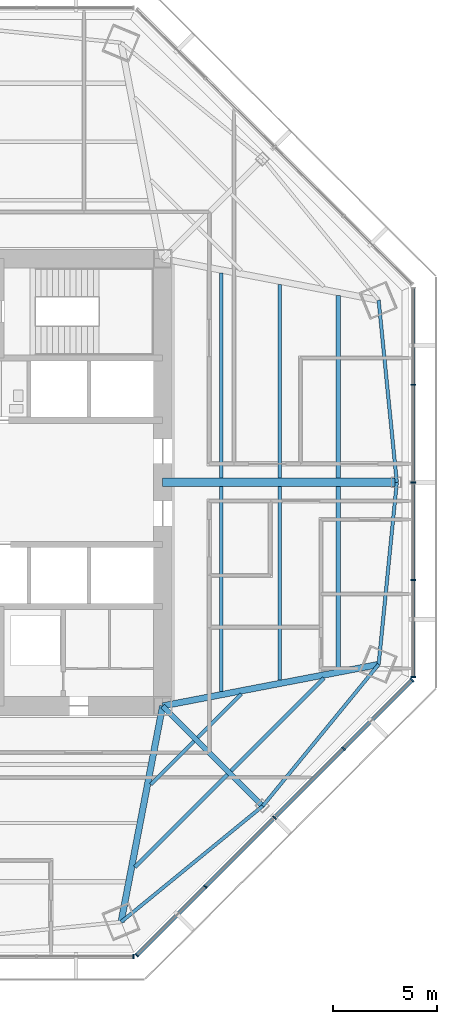
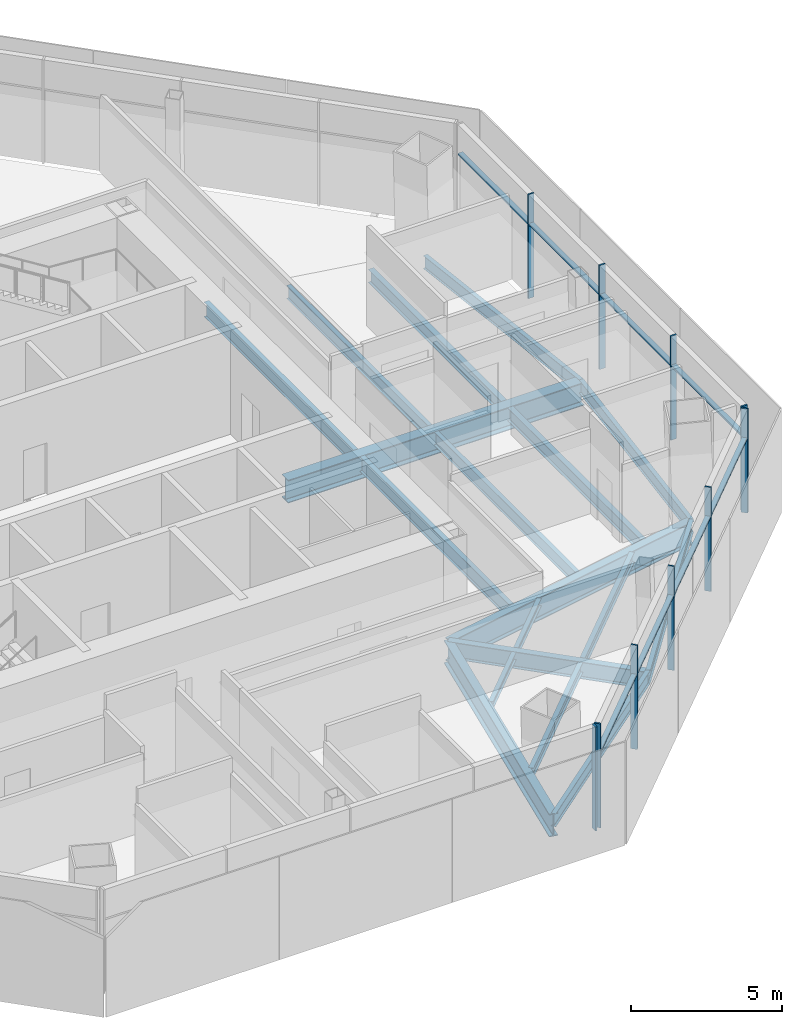
# One storey, part 4 of 14: 18 beams, 18 members, 3 elements without a shape of their own.
"""IFC4 building model written with IfcOpenShell, lengths in metres."""

from ifc_helpers import new_model, si_unit, direction, frame, origin, origin_2d, place, context, subcontext, project, spatial, rectangle, i_section, extrude, source, transform, mapped, material, material_profile, profile_set, type_object, type_shapes, element, aggregate, save


model = new_model("IFC4")

# Units and contexts
model_context = context("Model", 3, precision=1e-05, world=origin(), true_north=direction((0.0, 1.0)))
body_context = subcontext(model_context, "Body", "Model", "MODEL_VIEW")
ifc_project = project(units=[si_unit("LENGTHUNIT", "METRE"), si_unit("AREAUNIT", "SQUARE_METRE"), si_unit("VOLUMEUNIT", "CUBIC_METRE"), si_unit("PLANEANGLEUNIT", "RADIAN"), si_unit("MASSUNIT", "GRAM", prefix="KILO")], contexts=[model_context])

# Site, building, storey
site_placement = place(None, origin())
site = spatial("IfcSite", under=ifc_project, at=site_placement, CompositionType="ELEMENT")
building_placement = place(site_placement, origin())
building = spatial("IfcBuilding", under=site, at=building_placement, Name="Mashrafa Tower", CompositionType="ELEMENT")
storey_placement = place(building_placement, frame((0.0, 0.0, 180.60009765625)))
storey = spatial("IfcBuildingStorey", under=building, at=storey_placement, Name="L41", CompositionType="ELEMENT", Elevation=180.60009765625)

# Beams
ifc_material_1 = material(Name="Steel ASTM A992", Category="steel")
ifc_material_profile_1 = material_profile(ifc_material_1, i_section(OverallWidth=0.164794921875, OverallDepth=0.309814453125, WebThickness=0.005859375, FlangeThickness=0.009765625, FilletRadius=0.007568359375, at=origin_2d()), Name="W12X26")
ifc_profile_set_1 = profile_set([ifc_material_profile_1], Name="Steel ASTM A992")
beam_type_1 = type_object("IfcBeamType", Name="Beam W12X26", PredefinedType="BEAM", material=ifc_profile_set_1)
for number, where, z_axis, x_axis, name in (
    (1, (12.32177734375, -12.501220703125, -0.320068359375), (-0.707106781187, -0.707106781187, 0.0), (0.707106781187, -0.707106781187, 0.0), "Floor beam L41 029"),
    (2, (14.59619140625, -10.226806640625, -0.320068359375), (-0.707106781187, -0.707106781187, 0.0), (0.707106781187, -0.707106781187, 0.0), "Floor beam L41 035"),
):
    element("IfcBeam", number, at=place(storey_placement, frame(where, z_axis=z_axis, x_axis=x_axis)), inside=storey, type_object=beam_type_1, Name=name, PredefinedType="BEAM", context=body_context, shape_type="SweptSolid", body=[
        extrude(i_section(OverallWidth=0.164794921875, OverallDepth=0.309814453125, WebThickness=0.005859375, FlangeThickness=0.009765625, FilletRadius=0.007568359375, at=origin_2d()), origin(), (0.0, 0.0, 1.0), 2.962646484375),
    ])
ifc_material_2 = material(Name="Steel ASTM A992", Category="steel")
ifc_material_profile_2 = material_profile(ifc_material_2, i_section(OverallWidth=0.177734375, OverallDepth=0.406494140625, WebThickness=0.0078125, FlangeThickness=0.012939453125, FilletRadius=0.01025390625, at=origin_2d()), Name="W16X40")
ifc_profile_set_2 = profile_set([ifc_material_profile_2], Name="Steel ASTM A992")
beam_type_2 = type_object("IfcBeamType", Name="Beam W16X40", PredefinedType="BEAM", material=ifc_profile_set_2)
for number, where, z_axis, x_axis, name in (
    (3, (13.93310546875, -14.11279296875, -0.368408203125), (-0.707106781187, -0.707106781187, 0.0), (0.707106781187, -0.707106781187, 0.0), "Floor beam L41 033"),
    (4, (18.586181640625, -9.459716796875, -0.368408203125), (-0.707106781187, -0.707106781187, 0.0), (0.707106781187, -0.707106781187, 0.0), "Floor beam L41 038"),
):
    element("IfcBeam", number, at=place(storey_placement, frame(where, z_axis=z_axis, x_axis=x_axis)), inside=storey, type_object=beam_type_2, Name=name, PredefinedType="BEAM", context=body_context, shape_type="SweptSolid", body=[
        extrude(i_section(OverallWidth=0.177734375, OverallDepth=0.406494140625, WebThickness=0.0078125, FlangeThickness=0.012939453125, FilletRadius=0.01025390625, at=origin_2d()), origin(), (0.0, 0.0, 1.0), 6.326416015625),
    ])
ifc_material_3 = material(Name="Steel ASTM A992", Category="steel")
ifc_material_profile_3 = material_profile(ifc_material_3, i_section(OverallWidth=0.1650390625, OverallDepth=0.52587890625, WebThickness=0.0087890625, FlangeThickness=0.011474609375, FilletRadius=0.0126953125, at=origin_2d()), Name="W21X44")
ifc_profile_set_3 = profile_set([ifc_material_profile_3], Name="Steel ASTM A992")
beam_type_3 = type_object("IfcBeamType", Name="Beam W21X44", PredefinedType="BEAM", material=ifc_profile_set_3)
for number, where, z_axis, x_axis, name in (
    (5, (16.455078125, -0.20947265625, -0.427978515625), (0.0, -1.0, 0.0), (1.0, 0.0, 0.0), "Floor beam L41 036"),
    (6, (16.455078125, 9.556396484375, -0.427978515625), (0.0, -1.0, 0.0), (1.0, 0.0, 0.0), "Floor beam L41 037"),
):
    element("IfcBeam", number, at=place(storey_placement, frame(where, z_axis=z_axis, x_axis=x_axis)), inside=storey, type_object=beam_type_3, Name=name, PredefinedType="BEAM", context=body_context, shape_type="SweptSolid", body=[
        extrude(i_section(OverallWidth=0.1650390625, OverallDepth=0.52587890625, WebThickness=0.0087890625, FlangeThickness=0.011474609375, FilletRadius=0.0126953125, at=origin_2d()), origin(), (0.0, 0.0, 1.0), 9.346923828125),
    ])
for number, where, z_axis, x_axis, name in (
    (7, (8.794677734375, -21.232421875, -0.427978515625), (0.773864988904, 0.63335059718, 0.0), (-0.63335059718, 0.773864988904, 0.0), "Spandrel beam L41 066"),
    (8, (15.634521484375, -15.634521484375, -0.427978515625), (0.63335059718, 0.773864988904, 0.0), (-0.773864988904, 0.63335059718, 0.0), "Spandrel beam L41 068"),
):
    element("IfcBeam", number, at=place(storey_placement, frame(where, z_axis=z_axis, x_axis=x_axis)), inside=storey, type_object=beam_type_3, Name=name, PredefinedType="BEAM", context=body_context, shape_type="SweptSolid", body=[
        extrude(i_section(OverallWidth=0.1650390625, OverallDepth=0.52587890625, WebThickness=0.0087890625, FlangeThickness=0.011474609375, FilletRadius=0.0126953125, at=origin_2d()), origin(), (0.0, 0.0, 1.0), 8.838623046875),
    ])
for number, where, z_axis, x_axis, name in (
    (9, (21.232421875, -8.794677734375, -0.427978515625), (0.099358767287, 0.99505167472, 0.0), (-0.99505167472, 0.099358767287, 0.0), "Spandrel beam L41 070"),
    (10, (22.110595703125, 0.0, -0.427978515625), (-0.099358767287, 0.99505167472, 0.0), (-0.99505167472, -0.099358767287, 0.0), "Spandrel beam L41 072"),
):
    element("IfcBeam", number, at=place(storey_placement, frame(where, z_axis=z_axis, x_axis=x_axis)), inside=storey, type_object=beam_type_3, Name=name, PredefinedType="BEAM", context=body_context, shape_type="SweptSolid", body=[
        extrude(i_section(OverallWidth=0.1650390625, OverallDepth=0.52587890625, WebThickness=0.0087890625, FlangeThickness=0.011474609375, FilletRadius=0.0126953125, at=origin_2d()), origin(), (0.0, 0.0, 1.0), 8.83837890625),
    ])
ifc_material_4 = material(Name="Steel ASTM A992", Category="steel")
ifc_material_profile_4 = material_profile(ifc_material_4, i_section(OverallWidth=0.209228515625, OverallDepth=0.533447265625, WebThickness=0.01025390625, FlangeThickness=0.015625, FilletRadius=0.012939453125, at=origin_2d()), Name="W21X62")
ifc_profile_set_4 = profile_set([ifc_material_profile_4], Name="Steel ASTM A992")
beam_type_4 = type_object("IfcBeamType", Name="Beam W21X62", PredefinedType="BEAM", material=ifc_profile_set_4)
for number, where, z_axis, x_axis, name in (
    (11, (19.282958984375, -0.20947265625, -0.431884765625), (0.0, -1.0, 0.0), (1.0, 0.0, 0.0), "Floor beam L41 039"),
    (12, (19.282958984375, 9.012939453125, -0.431884765625), (0.0, -1.0, 0.0), (1.0, 0.0, 0.0), "Floor beam L41 040"),
):
    element("IfcBeam", number, at=place(storey_placement, frame(where, z_axis=z_axis, x_axis=x_axis)), inside=storey, type_object=beam_type_4, Name=name, PredefinedType="BEAM", context=body_context, shape_type="SweptSolid", body=[
        extrude(i_section(OverallWidth=0.209228515625, OverallDepth=0.533447265625, WebThickness=0.01025390625, FlangeThickness=0.015625, FilletRadius=0.012939453125, at=origin_2d()), origin(), (0.0, 0.0, 1.0), 8.803466796875),
    ])
ifc_material_5 = material(Name="Steel ASTM A992", Category="steel")
ifc_material_profile_5 = material_profile(ifc_material_5, i_section(OverallWidth=0.177978515625, OverallDepth=0.599365234375, WebThickness=0.010009765625, FlangeThickness=0.012939453125, FilletRadius=0.012939453125, at=origin_2d()), Name="W24X55")
ifc_profile_set_5 = profile_set([ifc_material_profile_5], Name="Steel ASTM A992")
beam_type_5 = type_object("IfcBeamType", Name="Beam W24X55", PredefinedType="BEAM", material=ifc_profile_set_5)
for number, where, z_axis, x_axis, name in (
    (13, (13.627685546875, -0.20947265625, -0.46484375), (0.0, -1.0, 0.0), (1.0, 0.0, 0.0), "Floor beam L41 031"),
    (14, (13.627685546875, 10.10009765625, -0.46484375), (0.0, -1.0, 0.0), (1.0, 0.0, 0.0), "Floor beam L41 032"),
):
    element("IfcBeam", number, at=place(storey_placement, frame(where, z_axis=z_axis, x_axis=x_axis)), inside=storey, type_object=beam_type_5, Name=name, PredefinedType="BEAM", context=body_context, shape_type="SweptSolid", body=[
        extrude(i_section(OverallWidth=0.177978515625, OverallDepth=0.599365234375, WebThickness=0.010009765625, FlangeThickness=0.012939453125, FilletRadius=0.012939453125, at=origin_2d()), origin(), (0.0, 0.0, 1.0), 9.890625),
    ])
ifc_material_6 = material(Name="Steel ASTM A992", Category="steel")
ifc_material_profile_6 = material_profile(ifc_material_6, i_section(OverallWidth=0.25390625, OverallDepth=0.683349609375, WebThickness=0.012451171875, FlangeThickness=0.01904296875, FilletRadius=0.01513671875, at=origin_2d()), Name="W27X94")
ifc_profile_set_6 = profile_set([ifc_material_profile_6], Name="Steel ASTM A992")
beam_type_6 = type_object("IfcBeamType", Name="Beam W27X94", PredefinedType="BEAM", material=ifc_profile_set_6)
beam_1_placement = place(storey_placement, frame((10.800048828125, -10.800048828125, -0.5068359375), z_axis=(0.707106781187, -0.707106781187, 0.0), x_axis=(0.707106781187, 0.707106781187, 0.0)))
element("IfcBeam", 15, at=beam_1_placement, inside=storey, type_object=beam_type_6, Name="Radial girder L41 051", PredefinedType="BEAM", context=body_context, shape_type="SweptSolid", body=[
    extrude(i_section(OverallWidth=0.25390625, OverallDepth=0.683349609375, WebThickness=0.012451171875, FlangeThickness=0.01904296875, FilletRadius=0.01513671875, at=origin_2d()), origin(), (0.0, 0.0, 1.0), 6.8369140625),
])
ifc_material_7 = material(Name="Steel ASTM A992", Category="steel")
ifc_material_profile_7 = material_profile(ifc_material_7, i_section(OverallWidth=0.307373046875, OverallDepth=0.927001953125, WebThickness=0.01953125, FlangeThickness=0.031982421875, FilletRadius=0.01904296875, at=origin_2d()), Name="W36X194")
ifc_profile_set_7 = profile_set([ifc_material_profile_7], Name="Steel ASTM A992")
beam_type_7 = type_object("IfcBeamType", Name="Beam W36X194", PredefinedType="BEAM", material=ifc_profile_set_7)
for number, where, z_axis, x_axis, name in (
    (16, (10.800048828125, -10.800048828125, -0.628662109375), (-0.188769826489, -0.982021360566, 0.0), (0.982021360566, -0.188769826489, 0.0), "Radial girder L41 050"),
    (17, (10.800048828125, -10.800048828125, -0.628662109375), (0.982021360566, 0.188769826489, 0.0), (-0.188769826489, 0.982021360566, 0.0), "Radial girder L41 052"),
):
    element("IfcBeam", number, at=place(storey_placement, frame(where, z_axis=z_axis, x_axis=x_axis)), inside=storey, type_object=beam_type_7, Name=name, PredefinedType="BEAM", context=body_context, shape_type="SweptSolid", body=[
        extrude(i_section(OverallWidth=0.307373046875, OverallDepth=0.927001953125, WebThickness=0.01953125, FlangeThickness=0.031982421875, FilletRadius=0.01904296875, at=origin_2d()), origin(), (0.0, 0.0, 1.0), 10.623291015625),
    ])
ifc_material_8 = material(Name="Steel ASTM A992", Category="steel")
ifc_material_profile_8 = material_profile(ifc_material_8, i_section(OverallWidth=0.419189453125, OverallDepth=0.927001953125, WebThickness=0.019287109375, FlangeThickness=0.031982421875, FilletRadius=0.020263671875, at=origin_2d()), Name="W36X231")
ifc_profile_set_8 = profile_set([ifc_material_profile_8], Name="Steel ASTM A992")
beam_type_8 = type_object("IfcBeamType", Name="Beam W36X231", PredefinedType="BEAM", material=ifc_profile_set_8)
beam_2_placement = place(storey_placement, frame((10.800048828125, 0.0, -0.628662109375), z_axis=(1.0, 0.0, 0.0), x_axis=(0.0, 1.0, 0.0)))
element("IfcBeam", 18, at=beam_2_placement, inside=storey, type_object=beam_type_8, Name="Radial girder L41 053", PredefinedType="BEAM", context=body_context, shape_type="SweptSolid", body=[
    extrude(i_section(OverallWidth=0.419189453125, OverallDepth=0.927001953125, WebThickness=0.019287109375, FlangeThickness=0.031982421875, FilletRadius=0.020263671875, at=origin_2d()), origin(), (0.0, 0.0, 1.0), 11.310546875),
])

# Curtain wall, members
ifc_material_9 = material(Name="Unitised aluminium curtain wall", Category="aluminium")
curtain_wall_type = type_object("IfcCurtainWallType", Name="Office curtain wall, zone 2 CW-B 225 deep", PredefinedType="NOTDEFINED", material=ifc_material_9)
curtain_wall_1_placement = place(storey_placement, origin())
curtain_wall_1 = element("IfcCurtainWall", 19, at=curtain_wall_1_placement, inside=storey, type_object=curtain_wall_type, Name="Office curtain wall, zone 2 L41 east", PredefinedType="NOTDEFINED")
ifc_material_10 = material(Name="Extruded aluminium mullion", Category="aluminium")
ifc_material_profile_9 = material_profile(ifc_material_10, rectangle(XDim=0.22509765625, YDim=0.06494140625, at=origin_2d()), Name="Mullion 65x225")
ifc_profile_set_9 = profile_set([ifc_material_profile_9], Name="Extruded aluminium mullion")
member_type_1 = type_object("IfcMemberType", Name="Mullion CW-B 65 x 225", PredefinedType="MULLION", material=ifc_profile_set_9)
shared_shape_1 = source(origin(), body_context, "Body", "SweptSolid", [
    extrude(rectangle(XDim=0.22509765625, YDim=0.06494140625, at=origin_2d()), origin(), (0.0, 0.0, 1.0), 4.199951171875),
])
type_shapes(member_type_1, [shared_shape_1])
member_1_placement = place(storey_placement, frame((22.90576171875, -9.398681640625, 0.0), z_axis=(0.0, 0.0, 1.0), x_axis=(-1.0, 0.0, 0.0)))
member_1 = element("IfcMember", 20, at=member_1_placement, type_object=member_type_1, Name="CW-B mullion 1", PredefinedType="MULLION", context=body_context, shape_type="MappedRepresentation", body=[
    mapped(shared_shape_1, transform((0.0, 0.0, 0.0))),
])
member_2_placement = place(storey_placement, frame((22.90576171875, -4.715576171875, 0.0), z_axis=(0.0, 0.0, 1.0), x_axis=(-1.0, 0.0, 0.0)))
member_2 = element("IfcMember", 21, at=member_2_placement, type_object=member_type_1, Name="CW-B mullion 2", PredefinedType="MULLION", context=body_context, shape_type="MappedRepresentation", body=[
    mapped(shared_shape_1, transform((0.0, 0.0, 0.0))),
])
member_3_placement = place(storey_placement, frame((22.90576171875, 0.0, 0.0), z_axis=(0.0, 0.0, 1.0), x_axis=(-1.0, 0.0, 0.0)))
member_3 = element("IfcMember", 22, at=member_3_placement, type_object=member_type_1, Name="CW-B mullion 3", PredefinedType="MULLION", context=body_context, shape_type="MappedRepresentation", body=[
    mapped(shared_shape_1, transform((0.0, 0.0, 0.0))),
])
member_4_placement = place(storey_placement, frame((22.90576171875, 4.715576171875, 0.0), z_axis=(0.0, 0.0, 1.0), x_axis=(-1.0, 0.0, 0.0)))
member_4 = element("IfcMember", 23, at=member_4_placement, type_object=member_type_1, Name="CW-B mullion 4", PredefinedType="MULLION", context=body_context, shape_type="MappedRepresentation", body=[
    mapped(shared_shape_1, transform((0.0, 0.0, 0.0))),
])

# Curtain wall, member
curtain_wall_2_placement = place(storey_placement, origin())
curtain_wall_2 = element("IfcCurtainWall", 24, at=curtain_wall_2_placement, inside=storey, type_object=curtain_wall_type, Name="Office curtain wall, zone 2 L41 south", PredefinedType="NOTDEFINED")
member_5_placement = place(storey_placement, frame((9.398681640625, -22.90576171875, 0.0), z_axis=(0.0, 0.0, 1.0), x_axis=(0.0, 1.0, 0.0)))
member_5 = element("IfcMember", 25, at=member_5_placement, type_object=member_type_1, Name="CW-B mullion 5", PredefinedType="MULLION", context=body_context, shape_type="MappedRepresentation", body=[
    mapped(shared_shape_1, transform((0.0, 0.0, 0.0))),
])
aggregate(curtain_wall_2, [member_5])

# Curtain wall, members
curtain_wall_3_placement = place(storey_placement, origin())
curtain_wall_3 = element("IfcCurtainWall", 26, at=curtain_wall_3_placement, inside=storey, type_object=curtain_wall_type, Name="Office curtain wall, zone 2 L41 south-east", PredefinedType="NOTDEFINED")
member_6_placement = place(storey_placement, frame((9.55078125, -22.8427734375, 0.0), z_axis=(0.0, 0.0, 1.0), x_axis=(-0.707106781187, 0.707106781187, 0.0)))
member_6 = element("IfcMember", 27, at=member_6_placement, type_object=member_type_1, Name="CW-B mullion 1", PredefinedType="MULLION", context=body_context, shape_type="MappedRepresentation", body=[
    mapped(shared_shape_1, transform((0.0, 0.0, 0.0))),
])
member_7_placement = place(storey_placement, frame((12.8623046875, -19.53125, 0.0), z_axis=(0.0, 0.0, 1.0), x_axis=(-0.707106781187, 0.707106781187, 0.0)))
member_7 = element("IfcMember", 28, at=member_7_placement, type_object=member_type_1, Name="CW-B mullion 2", PredefinedType="MULLION", context=body_context, shape_type="MappedRepresentation", body=[
    mapped(shared_shape_1, transform((0.0, 0.0, 0.0))),
])
member_8_placement = place(storey_placement, frame((16.19677734375, -16.19677734375, 0.0), z_axis=(0.0, 0.0, 1.0), x_axis=(-0.707106781187, 0.707106781187, 0.0)))
member_8 = element("IfcMember", 29, at=member_8_placement, type_object=member_type_1, Name="CW-B mullion 3", PredefinedType="MULLION", context=body_context, shape_type="MappedRepresentation", body=[
    mapped(shared_shape_1, transform((0.0, 0.0, 0.0))),
])
member_9_placement = place(storey_placement, frame((19.53125, -12.8623046875, 0.0), z_axis=(0.0, 0.0, 1.0), x_axis=(-0.707106781187, 0.707106781187, 0.0)))
member_9 = element("IfcMember", 30, at=member_9_placement, type_object=member_type_1, Name="CW-B mullion 4", PredefinedType="MULLION", context=body_context, shape_type="MappedRepresentation", body=[
    mapped(shared_shape_1, transform((0.0, 0.0, 0.0))),
])
member_10_placement = place(storey_placement, frame((22.8427734375, -9.55078125, 0.0), z_axis=(0.0, 0.0, 1.0), x_axis=(-0.707106781187, 0.707106781187, 0.0)))
member_10 = element("IfcMember", 31, at=member_10_placement, type_object=member_type_1, Name="CW-B mullion 5", PredefinedType="MULLION", context=body_context, shape_type="MappedRepresentation", body=[
    mapped(shared_shape_1, transform((0.0, 0.0, 0.0))),
])

# Member
ifc_material_11 = material(Name="Extruded aluminium transom", Category="aluminium")
ifc_material_profile_10 = material_profile(ifc_material_11, rectangle(XDim=0.179931640625, YDim=0.080078125, at=origin_2d()), Name="Transom 80x180")
ifc_profile_set_10 = profile_set([ifc_material_profile_10], Name="Extruded aluminium transom")
member_type_2 = type_object("IfcMemberType", Name="Transom CW-B 80 x 180", PredefinedType="MULLION", material=ifc_profile_set_10)
shared_shape_2 = source(origin(), body_context, "Body", "SweptSolid", [
    extrude(rectangle(XDim=0.179931640625, YDim=0.080078125, at=origin_2d()), origin(), (0.0, 0.0, 1.0), 4.6181640625),
])
member_11_placement = place(storey_placement, frame((22.90576171875, -9.3662109375, 3.0), z_axis=(0.0, 1.0, 0.0), x_axis=(-1.0, 0.0, 0.0)))
member_11 = element("IfcMember", 32, at=member_11_placement, type_object=member_type_2, Name="CW-B transom 1", PredefinedType="MULLION", context=body_context, shape_type="MappedRepresentation", body=[
    mapped(shared_shape_2, transform((0.0, 0.0, 0.0))),
])

member_12_placement = place(storey_placement, frame((22.90576171875, 4.748046875, 3.0), z_axis=(0.0, 1.0, 0.0), x_axis=(-1.0, 0.0, 0.0)))
member_12 = element("IfcMember", 33, at=member_12_placement, type_object=member_type_2, Name="CW-B transom 4", PredefinedType="MULLION", context=body_context, shape_type="MappedRepresentation", body=[
    mapped(shared_shape_2, transform((0.0, 0.0, 0.0))),
])

member_13_placement = place(storey_placement, frame((9.573974609375, -22.81982421875, 3.0), z_axis=(0.707080347782, 0.707133213603, 0.0), x_axis=(-0.707133213603, 0.707080347782, 0.0)))
member_13 = element("IfcMember", 34, at=member_13_placement, type_object=member_type_2, Name="CW-B transom 1", PredefinedType="MULLION", context=body_context, shape_type="MappedRepresentation", body=[
    mapped(shared_shape_2, transform((0.0, 0.0, 0.0))),
])

member_14_placement = place(storey_placement, frame((19.55419921875, -12.83935546875, 3.0), z_axis=(0.707133213603, 0.707080347782, 0.0), x_axis=(-0.707080347782, 0.707133213603, 0.0)))
member_14 = element("IfcMember", 35, at=member_14_placement, type_object=member_type_2, Name="CW-B transom 4", PredefinedType="MULLION", context=body_context, shape_type="MappedRepresentation", body=[
    mapped(shared_shape_2, transform((0.0, 0.0, 0.0))),
])

shared_shape_3 = source(origin(), body_context, "Body", "SweptSolid", [
    extrude(rectangle(XDim=0.179931640625, YDim=0.080078125, at=origin_2d()), origin(), (0.0, 0.0, 1.0), 4.650634765625),
])
type_shapes(member_type_2, [shared_shape_2, shared_shape_3])
member_15_placement = place(storey_placement, frame((22.90576171875, -4.68310546875, 3.0), z_axis=(0.0, 1.0, 0.0), x_axis=(-1.0, 0.0, 0.0)))
member_15 = element("IfcMember", 36, at=member_15_placement, type_object=member_type_2, Name="CW-B transom 2", PredefinedType="MULLION", context=body_context, shape_type="MappedRepresentation", body=[
    mapped(shared_shape_3, transform((0.0, 0.0, 0.0))),
])

member_16_placement = place(storey_placement, frame((22.90576171875, 0.032470703125, 3.0), z_axis=(0.0, 1.0, 0.0), x_axis=(-1.0, 0.0, 0.0)))
member_16 = element("IfcMember", 37, at=member_16_placement, type_object=member_type_2, Name="CW-B transom 3", PredefinedType="MULLION", context=body_context, shape_type="MappedRepresentation", body=[
    mapped(shared_shape_3, transform((0.0, 0.0, 0.0))),
])

aggregate(curtain_wall_1, [member_1, member_2, member_3, member_4, member_11, member_15, member_16, member_12])

member_17_placement = place(storey_placement, frame((12.88525390625, -19.50830078125, 3.0), z_axis=(0.707106781187, 0.707106781187, 0.0), x_axis=(-0.707106781187, 0.707106781187, 0.0)))
member_17 = element("IfcMember", 38, at=member_17_placement, type_object=member_type_2, Name="CW-B transom 2", PredefinedType="MULLION", context=body_context, shape_type="MappedRepresentation", body=[
    mapped(shared_shape_3, transform((0.0, 0.0, 0.0))),
])

member_18_placement = place(storey_placement, frame((16.2197265625, -16.173828125, 3.0), z_axis=(0.707106781187, 0.707106781187, 0.0), x_axis=(-0.707106781187, 0.707106781187, 0.0)))
member_18 = element("IfcMember", 39, at=member_18_placement, type_object=member_type_2, Name="CW-B transom 3", PredefinedType="MULLION", context=body_context, shape_type="MappedRepresentation", body=[
    mapped(shared_shape_3, transform((0.0, 0.0, 0.0))),
])

aggregate(curtain_wall_3, [member_6, member_7, member_8, member_9, member_10, member_13, member_17, member_18, member_14])

save(model, "model.ifc")
